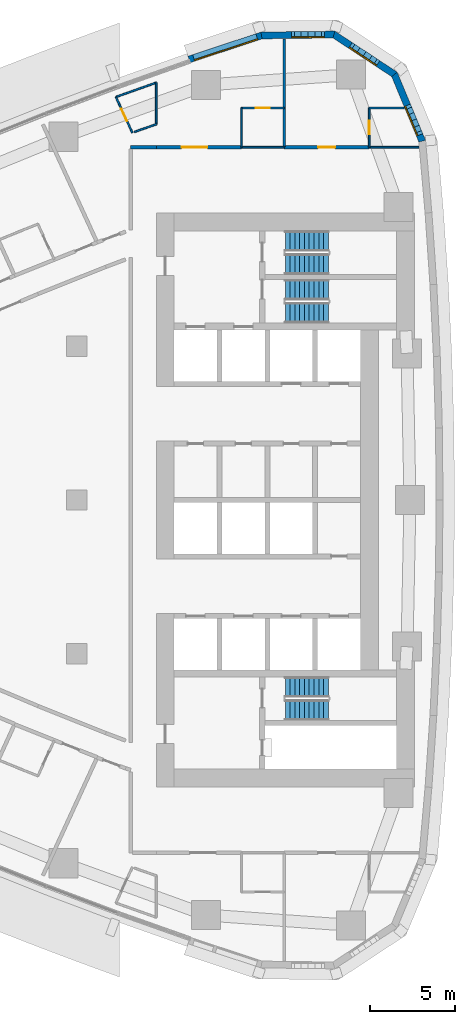
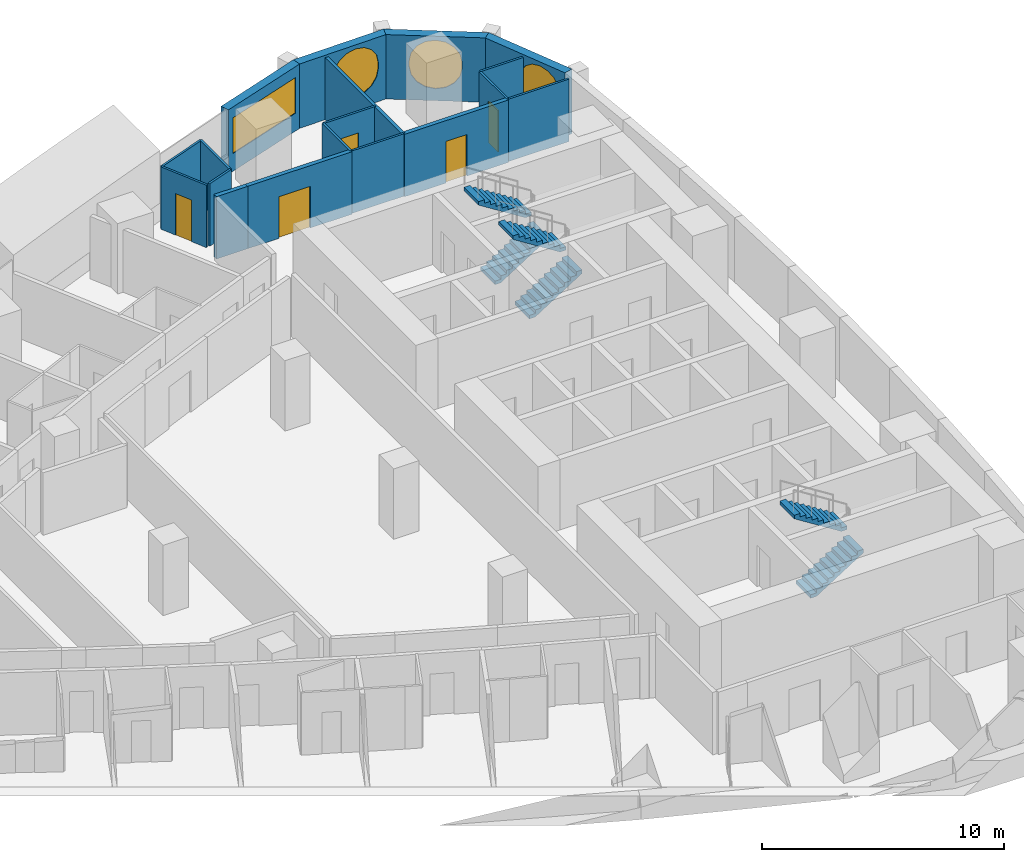
# One storey, part 13 of 17: 18 walls, 6 stair flights, 5 doors, 4 windows, 9 openings, 3 elements without a shape of their own.
"""IFC4 building model written with IfcOpenShell, lengths in metres."""

from ifc_helpers import new_model, si_unit, direction, frame, frame_2d, origin, place, context, subcontext, project, spatial, polyline, rectangle, outline, extrude, material, layer, layer_set, type_object, element, fill, aggregate, save


model = new_model("IFC4")

# Units and contexts
model_context = context("Model", 3, precision=1e-05, world=origin(), true_north=direction((0.0, 1.0)))
body_context = subcontext(model_context, "Body", "Model", "MODEL_VIEW")
ifc_project = project(units=[si_unit("LENGTHUNIT", "METRE"), si_unit("AREAUNIT", "SQUARE_METRE"), si_unit("VOLUMEUNIT", "CUBIC_METRE"), si_unit("PLANEANGLEUNIT", "RADIAN"), si_unit("MASSUNIT", "GRAM", prefix="KILO")], contexts=[model_context])

# Site, building, storey
site_placement = place(None, origin())
site = spatial("IfcSite", under=ifc_project, at=site_placement, CompositionType="ELEMENT")
building_placement = place(site_placement, origin())
building = spatial("IfcBuilding", under=site, at=building_placement, Name="Ostrand Prow Hotel Tower", CompositionType="ELEMENT")
storey_placement = place(building_placement, frame((0.0, 0.0, 116.85009765625)))
storey = spatial("IfcBuildingStorey", under=building, at=storey_placement, Name="L28", CompositionType="ELEMENT", Elevation=116.85009765625)

# Wall
ifc_material_1 = material(Name="Plasterboard partition")
ifc_layer_1 = layer(ifc_material_1, 0.10009765625)
ifc_layer_set_1 = layer_set([ifc_layer_1], Name="Plasterboard partition")
wall_type_1 = type_object("IfcWallType", Name="Partition 100 bathroom wall", PredefinedType="PARTITIONING", material=ifc_layer_set_1)
wall_1_placement = place(storey_placement, frame((54.630615234375, 20.64990234375, 0.0), z_axis=(0.0, 0.0, 1.0), x_axis=(0.0, 1.0, 0.0)))
element("IfcWall", 1, at=wall_1_placement, inside=storey, type_object=wall_type_1, Name="BATHROOM WALL", PredefinedType="PARTITIONING", context=body_context, shape_type="SweptSolid", body=[
    extrude(rectangle(XDim=2.300048828125, YDim=0.10009765625, at=frame_2d((1.14990234375, 0.0))), origin(), (0.0, 0.0, 1.0), 3.14990234375),
])

# Wall, opening, door
wall_2_placement = place(storey_placement, frame((54.630615234375, 22.949951171875, 0.0), z_axis=(0.0, 0.0, 1.0), x_axis=(1.0, 0.0, 0.0)))
wall_2 = element("IfcWall", 2, at=wall_2_placement, inside=storey, type_object=wall_type_1, Name="BATHROOM WALL", PredefinedType="PARTITIONING", context=body_context, shape_type="SweptSolid", body=[
    extrude(rectangle(XDim=2.5, YDim=0.10009765625, at=frame_2d((1.25, 0.0))), origin(), (0.0, 0.0, 1.0), 3.14990234375),
])
opening_1_placement = place(wall_2_placement, frame((0.85009765625, 0.0, 0.0)))
opening_1 = element("IfcOpeningElement", 3, at=opening_1_placement, cuts=wall_2, Name="Opening D2", PredefinedType="OPENING", context=body_context, shape_type="SweptSolid", body=[
    extrude(rectangle(XDim=0.800048828125, YDim=2.10009765625, at=frame_2d((0.39990234375, 1.050048828125))), frame((0.0, 0.06005859375, 0.0), z_axis=(0.0, -1.0, 0.0), x_axis=(1.0, 0.0, 0.0)), (0.0, 0.0, 1.0), 0.1201171875),
])
ifc_material_2 = material(Name="Timber door leaf", Category="wood")
door_type_1 = type_object("IfcDoorType", Name="Bathroom door 800", OperationType="SINGLE_SWING_LEFT", PredefinedType="DOOR", material=ifc_material_2)
door_1_placement = place(opening_1_placement, origin())
door_1 = element("IfcDoor", 4, at=door_1_placement, inside=storey, type_object=door_type_1, Name="DOOR", OperationType="SINGLE_SWING_LEFT", OverallHeight=2.10009765625, OverallWidth=0.800048828125, PredefinedType="DOOR", context=body_context, shape_type="SweptSolid", body=[
    extrude(rectangle(XDim=0.800048828125, YDim=2.10009765625, at=frame_2d((0.39990234375, 1.050048828125))), frame((0.0, 0.02490234375, 0.0), z_axis=(0.0, -1.0, 0.0), x_axis=(1.0, 0.0, 0.0)), (0.0, 0.0, 1.0), 0.050048828125),
])
fill(opening_1, door_1)

wall_3_placement = place(storey_placement, frame((62.111083984375, 20.64990234375, 0.0), z_axis=(0.0, 0.0, 1.0), x_axis=(0.0, 1.0, 0.0)))
wall_3 = element("IfcWall", 5, at=wall_3_placement, inside=storey, type_object=wall_type_1, Name="BATHROOM WALL", PredefinedType="PARTITIONING", context=body_context, shape_type="SweptSolid", body=[
    extrude(rectangle(XDim=2.300048828125, YDim=0.10009765625, at=frame_2d((1.14990234375, 0.0))), origin(), (0.0, 0.0, 1.0), 3.14990234375),
])
opening_2_placement = place(wall_3_placement, frame((0.75, 0.0, 0.0)))
opening_2 = element("IfcOpeningElement", 6, at=opening_2_placement, cuts=wall_3, Name="Opening D2", PredefinedType="OPENING", context=body_context, shape_type="SweptSolid", body=[
    extrude(rectangle(XDim=0.800048828125, YDim=2.10009765625, at=frame_2d((0.39990234375, 1.050048828125))), frame((0.0, 0.06005859375, 0.0), z_axis=(0.0, -1.0, 0.0), x_axis=(1.0, 0.0, 0.0)), (0.0, 0.0, 1.0), 0.1201171875),
])
door_2_placement = place(opening_2_placement, origin())
door_2 = element("IfcDoor", 7, at=door_2_placement, inside=storey, type_object=door_type_1, Name="DOOR", OperationType="SINGLE_SWING_LEFT", OverallHeight=2.10009765625, OverallWidth=0.800048828125, PredefinedType="DOOR", context=body_context, shape_type="SweptSolid", body=[
    extrude(rectangle(XDim=0.800048828125, YDim=2.10009765625, at=frame_2d((0.39990234375, 1.050048828125))), frame((0.0, 0.02490234375, 0.0), z_axis=(0.0, -1.0, 0.0), x_axis=(1.0, 0.0, 0.0)), (0.0, 0.0, 1.0), 0.050048828125),
])
fill(opening_2, door_2)

# Wall
wall_4_placement = place(storey_placement, frame((62.111083984375, 22.949951171875, 0.0), z_axis=(0.0, 0.0, 1.0), x_axis=(1.0, 0.0, 0.0)))
element("IfcWall", 8, at=wall_4_placement, inside=storey, type_object=wall_type_1, Name="BATHROOM WALL", PredefinedType="PARTITIONING", context=body_context, shape_type="SweptSolid", body=[
    extrude(rectangle(XDim=2.04931640625, YDim=0.10009765625, at=frame_2d((1.024658203125, 0.0))), origin(), (0.0, 0.0, 1.0), 3.14990234375),
])

# Wall, opening, door
wall_5_placement = place(storey_placement, frame((48.24853515625, 21.4970703125, 0.0), z_axis=(0.0, 0.0, 1.0), x_axis=(-0.41749308293, 0.908680100864, 0.0)))
wall_5 = element("IfcWall", 9, at=wall_5_placement, inside=storey, type_object=wall_type_1, Name="BATHROOM WALL", PredefinedType="PARTITIONING", context=body_context, shape_type="SweptSolid", body=[
    extrude(rectangle(XDim=2.3056640625, YDim=0.10009765625, at=frame_2d((1.15283203125, 0.0))), origin(), (0.0, 0.0, 1.0), 3.14990234375),
])
opening_3_placement = place(wall_5_placement, frame((0.75, 0.0, 0.0)))
opening_3 = element("IfcOpeningElement", 10, at=opening_3_placement, cuts=wall_5, Name="Opening D2", PredefinedType="OPENING", context=body_context, shape_type="SweptSolid", body=[
    extrude(rectangle(XDim=0.800048828125, YDim=2.10009765625, at=frame_2d((0.39990234375, 1.050048828125))), frame((0.0, 0.06005859375, 0.0), z_axis=(0.0, -1.0, 0.0), x_axis=(1.0, 0.0, 0.0)), (0.0, 0.0, 1.0), 0.1201171875),
])
door_3_placement = place(opening_3_placement, origin())
door_3 = element("IfcDoor", 11, at=door_3_placement, inside=storey, type_object=door_type_1, Name="DOOR", OperationType="SINGLE_SWING_LEFT", OverallHeight=2.10009765625, OverallWidth=0.800048828125, PredefinedType="DOOR", context=body_context, shape_type="SweptSolid", body=[
    extrude(rectangle(XDim=0.800048828125, YDim=2.10009765625, at=frame_2d((0.39990234375, 1.050048828125))), frame((0.0, 0.02490234375, 0.0), z_axis=(0.0, -1.0, 0.0), x_axis=(1.0, 0.0, 0.0)), (0.0, 0.0, 1.0), 0.050048828125),
])
fill(opening_3, door_3)

# Walls
wall_6_placement = place(storey_placement, frame((49.64990234375, 21.99560546875, 0.0), z_axis=(0.0, 0.0, 1.0), x_axis=(-0.942692856107, -0.333661773425, 0.0)))
element("IfcWall", 12, at=wall_6_placement, inside=storey, type_object=wall_type_1, Name="BATHROOM WALL", PredefinedType="PARTITIONING", context=body_context, shape_type="SweptSolid", body=[
    extrude(rectangle(XDim=1.365234375, YDim=0.10009765625, at=frame_2d((0.6826171875, 0.0))), origin(), (0.0, 0.0, 1.0), 3.14990234375),
])
wall_7_placement = place(storey_placement, frame((57.130615234375, 20.655029296875, 0.0), z_axis=(0.0, 0.0, 1.0), x_axis=(-1.0, 0.0, 0.0)))
element("IfcWall", 13, at=wall_7_placement, inside=storey, type_object=wall_type_1, Name="BATHROOM WALL", PredefinedType="PARTITIONING", context=body_context, shape_type="SweptSolid", body=[
    extrude(rectangle(XDim=2.5, YDim=0.10009765625, at=frame_2d((1.25, 0.0))), origin(), (0.0, 0.0, 1.0), 3.14990234375),
])
wall_8_placement = place(storey_placement, frame((65.016845703125, 20.655029296875, 0.0), z_axis=(0.0, 0.0, 1.0), x_axis=(-1.0, 0.0, 0.0)))
element("IfcWall", 14, at=wall_8_placement, inside=storey, type_object=wall_type_1, Name="BATHROOM WALL", PredefinedType="PARTITIONING", context=body_context, shape_type="SweptSolid", body=[
    extrude(rectangle(XDim=2.90576171875, YDim=0.10009765625, at=frame_2d((1.452880859375, 0.0))), origin(), (0.0, 0.0, 1.0), 3.14990234375),
])
wall_9_placement = place(storey_placement, frame((47.285888671875, 23.59228515625, 0.0), z_axis=(0.0, 0.0, 1.0), x_axis=(0.941933231826, 0.335800218555, 0.0)))
element("IfcWall", 15, at=wall_9_placement, inside=storey, type_object=wall_type_1, Name="BATHROOM WALL", PredefinedType="PARTITIONING", context=body_context, shape_type="SweptSolid", body=[
    extrude(rectangle(XDim=2.509765625, YDim=0.10009765625, at=frame_2d((1.2548828125, 0.0))), origin(), (0.0, 0.0, 1.0), 3.14990234375),
])
wall_10_placement = place(storey_placement, frame((49.64990234375, 24.43505859375, 0.0), z_axis=(0.0, 0.0, 1.0), x_axis=(0.0, -1.0, 0.0)))
element("IfcWall", 16, at=wall_10_placement, inside=storey, type_object=wall_type_1, Name="BATHROOM WALL", PredefinedType="PARTITIONING", context=body_context, shape_type="SweptSolid", body=[
    extrude(rectangle(XDim=2.439453125, YDim=0.10009765625, at=frame_2d((1.2197265625, 0.0))), origin(), (0.0, 0.0, 1.0), 3.14990234375),
])
ifc_material_3 = material(Name="Plasterboard partition")
ifc_layer_2 = layer(ifc_material_3, 0.14990234375)
ifc_layer_set_2 = layer_set([ifc_layer_2], Name="Plasterboard partition")
wall_type_2 = type_object("IfcWallType", Name="Partition 150 room partition", PredefinedType="PARTITIONING", material=ifc_layer_set_2)
wall_11_placement = place(storey_placement, frame((57.130615234375, 20.64990234375, 0.0), z_axis=(0.0, 0.0, 1.0), x_axis=(0.0, 1.0, 0.0)))
element("IfcWall", 17, at=wall_11_placement, inside=storey, type_object=wall_type_2, Name="ROOM PARTITION", PredefinedType="PARTITIONING", context=body_context, shape_type="SweptSolid", body=[
    extrude(rectangle(XDim=6.3291015625, YDim=0.14990234375, at=frame_2d((3.16455078125, 0.0))), origin(), (0.0, 0.0, 1.0), 3.14990234375),
])

# Wall, opening, door
ifc_material_4 = material(Name="Plasterboard partition")
ifc_layer_3 = layer(ifc_material_4, 0.199951171875)
ifc_layer_set_3 = layer_set([ifc_layer_3], Name="Plasterboard partition")
wall_type_3 = type_object("IfcWallType", Name="Partition 200 corridor wall", PredefinedType="PARTITIONING", material=ifc_layer_set_3)
wall_12_placement = place(storey_placement, frame((54.62548828125, 20.655029296875, 0.0), z_axis=(0.0, 0.0, 1.0), x_axis=(-1.0, 0.0, 0.0)))
wall_12 = element("IfcWall", 18, at=wall_12_placement, inside=storey, type_object=wall_type_3, Name="CORRIDOR WALL", PredefinedType="PARTITIONING", context=body_context, shape_type="SweptSolid", body=[
    extrude(rectangle(XDim=4.9755859375, YDim=0.199951171875, at=frame_2d((2.48779296875, 0.0))), origin(), (0.0, 0.0, 1.0), 3.14990234375),
])
opening_4_placement = place(wall_12_placement, frame((1.98779296875, 0.0, 0.0)))
opening_4 = element("IfcOpeningElement", 19, at=opening_4_placement, cuts=wall_12, Name="Opening D15", PredefinedType="OPENING", context=body_context, shape_type="SweptSolid", body=[
    extrude(rectangle(XDim=1.5, YDim=2.10009765625, at=frame_2d((0.75, 1.050048828125))), frame((0.0, 0.10986328125, 0.0), z_axis=(0.0, -1.0, 0.0), x_axis=(1.0, 0.0, 0.0)), (0.0, 0.0, 1.0), 0.219970703125),
])
ifc_material_5 = material(Name="Timber door leaf", Category="wood")
door_type_2 = type_object("IfcDoorType", Name="Double door 1500", OperationType="DOUBLE_DOOR_SINGLE_SWING", PredefinedType="DOOR", material=ifc_material_5)
door_4_placement = place(opening_4_placement, origin())
door_4 = element("IfcDoor", 20, at=door_4_placement, inside=storey, type_object=door_type_2, Name="DOOR", OperationType="DOUBLE_DOOR_SINGLE_SWING", OverallHeight=2.10009765625, OverallWidth=1.5, PredefinedType="DOOR", context=body_context, shape_type="SweptSolid", body=[
    extrude(rectangle(XDim=1.5, YDim=2.10009765625, at=frame_2d((0.75, 1.050048828125))), frame((0.0, 0.02490234375, 0.0), z_axis=(0.0, -1.0, 0.0), x_axis=(1.0, 0.0, 0.0)), (0.0, 0.0, 1.0), 0.050048828125),
])
fill(opening_4, door_4)

wall_13_placement = place(storey_placement, frame((62.106201171875, 20.655029296875, 0.0), z_axis=(0.0, 0.0, 1.0), x_axis=(-1.0, 0.0, 0.0)))
wall_13 = element("IfcWall", 21, at=wall_13_placement, inside=storey, type_object=wall_type_3, Name="CORRIDOR WALL", PredefinedType="PARTITIONING", context=body_context, shape_type="SweptSolid", body=[
    extrude(rectangle(XDim=4.970703125, YDim=0.199951171875, at=frame_2d((2.4853515625, 0.0))), origin(), (0.0, 0.0, 1.0), 3.14990234375),
])
opening_5_placement = place(wall_13_placement, frame((1.9853515625, 0.0, 0.0)))
opening_5 = element("IfcOpeningElement", 22, at=opening_5_placement, cuts=wall_13, Name="Opening D1", PredefinedType="OPENING", context=body_context, shape_type="SweptSolid", body=[
    extrude(rectangle(XDim=1.0, YDim=2.10009765625, at=frame_2d((0.5, 1.050048828125))), frame((0.0, 0.10986328125, 0.0), z_axis=(0.0, -1.0, 0.0), x_axis=(1.0, 0.0, 0.0)), (0.0, 0.0, 1.0), 0.219970703125),
])
ifc_material_6 = material(Name="Timber door leaf", Category="wood")
door_type_3 = type_object("IfcDoorType", Name="Guest room door 1000", OperationType="SINGLE_SWING_LEFT", PredefinedType="DOOR", material=ifc_material_6)
door_5_placement = place(opening_5_placement, origin())
door_5 = element("IfcDoor", 23, at=door_5_placement, inside=storey, type_object=door_type_3, Name="DOOR", OperationType="SINGLE_SWING_LEFT", OverallHeight=2.10009765625, OverallWidth=1.0, PredefinedType="DOOR", context=body_context, shape_type="SweptSolid", body=[
    extrude(rectangle(XDim=1.0, YDim=2.10009765625, at=frame_2d((0.5, 1.050048828125))), frame((0.0, 0.02490234375, 0.0), z_axis=(0.0, -1.0, 0.0), x_axis=(1.0, 0.0, 0.0)), (0.0, 0.0, 1.0), 0.050048828125),
])
fill(opening_5, door_5)

# Wall
wall_14_placement = place(storey_placement, frame((49.64990234375, 20.655029296875, 0.0), z_axis=(0.0, 0.0, 1.0), x_axis=(-0.999998933031, -0.001460800259, 0.0)))
element("IfcWall", 24, at=wall_14_placement, inside=storey, type_object=wall_type_3, Name="CORRIDOR WALL", PredefinedType="PARTITIONING", context=body_context, shape_type="SweptSolid", body=[
    extrude(rectangle(XDim=1.504150390625, YDim=0.199951171875, at=frame_2d((0.751953125, 0.0))), origin(), (0.0, 0.0, 1.0), 3.14990234375),
])

# Wall, opening, window
ifc_material_7 = material(Name="Precast concrete C40/50", Category="concrete")
ifc_layer_4 = layer(ifc_material_7, 0.39990234375)
ifc_layer_set_4 = layer_set([ifc_layer_4], Name="Precast concrete C40/50")
wall_type_4 = type_object("IfcWallType", Name="Stone-faced precast wall 400 mm", PredefinedType="NOTDEFINED", material=ifc_layer_set_4)
wall_15_placement = place(storey_placement, frame((65.21728515625, 21.001708984375, 0.0), z_axis=(0.0, 0.0, 1.0), x_axis=(-0.383997751971, 0.923334027577, 0.0)))
wall_15 = element("IfcWall", 25, at=wall_15_placement, inside=storey, type_object=wall_type_4, Name="Stone-faced wall back 15", PredefinedType="NOTDEFINED", context=body_context, shape_type="SweptSolid", body=[
    extrude(outline(polyline([(-0.031005859375, -0.199951171875), (4.300048828125, -0.199951171875), (4.177490234375, 0.199951171875), (0.031005859375, 0.199951171875), (-0.031005859375, -0.199951171875)])), origin(), (0.0, 0.0, 1.0), 3.25),
])
opening_6_placement = place(wall_15_placement, frame((0.28662109375, 0.0, 0.60009765625)))
opening_6 = element("IfcOpeningElement", 26, at=opening_6_placement, cuts=wall_15, Name="Opening WP1-21", PredefinedType="OPENING", context=body_context, shape_type="SweptSolid", body=[
    extrude(outline(polyline([(0.0, 1.39990234375), (0.079833984375, 1.8017578125), (0.3076171875, 2.142333984375), (0.648193359375, 2.3701171875), (1.050048828125, 2.449951171875), (1.451904296875, 2.3701171875), (1.79248046875, 2.142333984375), (2.020263671875, 1.8017578125), (2.10009765625, 1.39990234375), (2.10009765625, 1.050048828125), (2.020263671875, 0.648193359375), (1.79248046875, 0.3076171875), (1.451904296875, 0.079833984375), (1.050048828125, 0.0), (0.648193359375, 0.079833984375), (0.3076171875, 0.3076171875), (0.079833984375, 0.648193359375), (0.0, 1.050048828125), (0.0, 1.39990234375)])), frame((0.0, 0.2099609375, 0.0), z_axis=(0.0, -1.0, 0.0), x_axis=(1.0, 0.0, 0.0)), (0.0, 0.0, 1.0), 0.419921875),
])
ifc_material_8 = material(Name="Insulated glass in bronze frame", Category="glass")
window_type_1 = type_object("IfcWindowType", Name="Round-ended prow window 2100x2450", PartitioningType="SINGLE_PANEL", PredefinedType="WINDOW", material=ifc_material_8)
window_1_placement = place(opening_6_placement, origin())
window_1 = element("IfcWindow", 27, at=window_1_placement, inside=storey, type_object=window_type_1, Name="Window back 15.1", OverallHeight=2.449951171875, OverallWidth=2.10009765625, PartitioningType="SINGLE_PANEL", PredefinedType="WINDOW", context=body_context, shape_type="SweptSolid", body=[
    extrude(outline(polyline([(0.0, 1.39990234375), (0.079833984375, 1.8017578125), (0.3076171875, 2.142333984375), (0.648193359375, 2.3701171875), (1.050048828125, 2.449951171875), (1.451904296875, 2.3701171875), (1.79248046875, 2.142333984375), (2.020263671875, 1.8017578125), (2.10009765625, 1.39990234375), (2.10009765625, 1.050048828125), (2.020263671875, 0.648193359375), (1.79248046875, 0.3076171875), (1.451904296875, 0.079833984375), (1.050048828125, 0.0), (0.648193359375, 0.079833984375), (0.3076171875, 0.3076171875), (0.079833984375, 0.648193359375), (0.0, 1.050048828125), (0.0, 1.39990234375)])), frame((0.0, 0.169921875, 0.0), z_axis=(0.0, -1.0, 0.0), x_axis=(1.0, 0.0, 0.0)), (0.0, 0.0, 1.0), 0.06005859375),
])
fill(opening_6, window_1)

wall_16_placement = place(storey_placement, frame((63.589599609375, 24.91552734375, 0.0), z_axis=(0.0, 0.0, 1.0), x_axis=(-0.835340523653, 0.549732852887, 0.0)))
wall_16 = element("IfcWall", 28, at=wall_16_placement, inside=storey, type_object=wall_type_4, Name="Stone-faced wall back 16", PredefinedType="NOTDEFINED", context=body_context, shape_type="SweptSolid", body=[
    extrude(outline(polyline([(-0.061279296875, -0.199951171875), (4.30029296875, -0.199951171875), (4.177734375, 0.199951171875), (0.061279296875, 0.199951171875), (-0.061279296875, -0.199951171875)])), origin(), (0.0, 0.0, 1.0), 3.25),
])
opening_7_placement = place(wall_16_placement, frame((1.01953125, 0.0, 0.60009765625)))
opening_7 = element("IfcOpeningElement", 29, at=opening_7_placement, cuts=wall_16, Name="Opening WP1", PredefinedType="OPENING", context=body_context, shape_type="SweptSolid", body=[
    extrude(outline(polyline([(0.0, 1.35009765625), (0.083740234375, 1.77099609375), (0.322265625, 2.127685546875), (0.678955078125, 2.3662109375), (1.10009765625, 2.449951171875), (1.52099609375, 2.3662109375), (1.877685546875, 2.127685546875), (2.1162109375, 1.77099609375), (2.199951171875, 1.35009765625), (2.199951171875, 1.10009765625), (2.1162109375, 0.678955078125), (1.877685546875, 0.322265625), (1.52099609375, 0.083740234375), (1.10009765625, 0.0), (0.678955078125, 0.083740234375), (0.322265625, 0.322265625), (0.083740234375, 0.678955078125), (0.0, 1.099853515625), (0.0, 1.35009765625)])), frame((0.0, 0.2099609375, 0.0), z_axis=(0.0, -1.0, 0.0), x_axis=(1.0, 0.0, 0.0)), (0.0, 0.0, 1.0), 0.419921875),
])
ifc_material_9 = material(Name="Insulated glass in bronze frame", Category="glass")
window_type_2 = type_object("IfcWindowType", Name="Round-ended prow window 2200x2450", PartitioningType="SINGLE_PANEL", PredefinedType="WINDOW", material=ifc_material_9)
window_2_placement = place(opening_7_placement, origin())
window_2 = element("IfcWindow", 30, at=window_2_placement, inside=storey, type_object=window_type_2, Name="Window back 16.1", OverallHeight=2.449951171875, OverallWidth=2.199951171875, PartitioningType="SINGLE_PANEL", PredefinedType="WINDOW", context=body_context, shape_type="SweptSolid", body=[
    extrude(outline(polyline([(0.0, 1.35009765625), (0.083740234375, 1.77099609375), (0.322265625, 2.127685546875), (0.678955078125, 2.3662109375), (1.10009765625, 2.449951171875), (1.52099609375, 2.3662109375), (1.877685546875, 2.127685546875), (2.1162109375, 1.77099609375), (2.199951171875, 1.35009765625), (2.199951171875, 1.10009765625), (2.1162109375, 0.678955078125), (1.877685546875, 0.322265625), (1.52099609375, 0.083740234375), (1.10009765625, 0.0), (0.678955078125, 0.083740234375), (0.322265625, 0.322265625), (0.083740234375, 0.678955078125), (0.0, 1.099853515625), (0.0, 1.35009765625)])), frame((0.0, 0.169921875, 0.0), z_axis=(0.0, -1.0, 0.0), x_axis=(1.0, 0.0, 0.0)), (0.0, 0.0, 1.0), 0.06005859375),
])
fill(opening_7, window_2)

wall_17_placement = place(storey_placement, frame((60.048583984375, 27.245849609375, 0.0), z_axis=(0.0, 0.0, 1.0), x_axis=(-0.999919718849, -0.012671063772, 0.0)))
wall_17 = element("IfcWall", 31, at=wall_17_placement, inside=storey, type_object=wall_type_4, Name="Stone-faced wall back 17", PredefinedType="NOTDEFINED", context=body_context, shape_type="SweptSolid", body=[
    extrude(outline(polyline([(-0.061279296875, -0.199951171875), (4.269775390625, -0.199951171875), (4.207763671875, 0.199951171875), (0.061279296875, 0.199951171875), (-0.061279296875, -0.199951171875)])), origin(), (0.0, 0.0, 1.0), 3.25),
])
opening_8_placement = place(wall_17_placement, frame((0.418212890625, 0.0, 0.60009765625)))
opening_8 = element("IfcOpeningElement", 32, at=opening_8_placement, cuts=wall_17, Name="Opening WP1", PredefinedType="OPENING", context=body_context, shape_type="SweptSolid", body=[
    extrude(outline(polyline([(0.0, 1.35009765625), (0.083740234375, 1.77099609375), (0.322265625, 2.127685546875), (0.678955078125, 2.3662109375), (1.10009765625, 2.449951171875), (1.52099609375, 2.3662109375), (1.877685546875, 2.127685546875), (2.1162109375, 1.77099609375), (2.199951171875, 1.35009765625), (2.199951171875, 1.10009765625), (2.1162109375, 0.678955078125), (1.877685546875, 0.322265625), (1.52099609375, 0.083740234375), (1.10009765625, 0.0), (0.678955078125, 0.083740234375), (0.322265625, 0.322265625), (0.083740234375, 0.678955078125), (0.0, 1.099853515625), (0.0, 1.35009765625)])), frame((0.0, 0.2099609375, 0.0), z_axis=(0.0, -1.0, 0.0), x_axis=(1.0, 0.0, 0.0)), (0.0, 0.0, 1.0), 0.419921875),
])
window_3_placement = place(opening_8_placement, origin())
window_3 = element("IfcWindow", 33, at=window_3_placement, inside=storey, type_object=window_type_2, Name="Window back 17.1", OverallHeight=2.449951171875, OverallWidth=2.199951171875, PartitioningType="SINGLE_PANEL", PredefinedType="WINDOW", context=body_context, shape_type="SweptSolid", body=[
    extrude(outline(polyline([(0.0, 1.35009765625), (0.083740234375, 1.77099609375), (0.322265625, 2.127685546875), (0.678955078125, 2.3662109375), (1.10009765625, 2.449951171875), (1.52099609375, 2.3662109375), (1.877685546875, 2.127685546875), (2.1162109375, 1.77099609375), (2.199951171875, 1.35009765625), (2.199951171875, 1.10009765625), (2.1162109375, 0.678955078125), (1.877685546875, 0.322265625), (1.52099609375, 0.083740234375), (1.10009765625, 0.0), (0.678955078125, 0.083740234375), (0.322265625, 0.322265625), (0.083740234375, 0.678955078125), (0.0, 1.099853515625), (0.0, 1.35009765625)])), frame((0.0, 0.169921875, 0.0), z_axis=(0.0, -1.0, 0.0), x_axis=(1.0, 0.0, 0.0)), (0.0, 0.0, 1.0), 0.06005859375),
])
fill(opening_8, window_3)

wall_18_placement = place(storey_placement, frame((55.81005859375, 27.192138671875, 0.0), z_axis=(0.0, 0.0, 1.0), x_axis=(-0.94925004851, -0.314522408429, 0.0)))
wall_18 = element("IfcWall", 34, at=wall_18_placement, inside=storey, type_object=wall_type_4, Name="Stone-faced wall back 18", PredefinedType="NOTDEFINED", context=body_context, shape_type="SweptSolid", body=[
    extrude(outline(polyline([(-0.031005859375, -0.199951171875), (4.468017578125, -0.199951171875), (4.468017578125, 0.199951171875), (0.031005859375, 0.199951171875), (-0.031005859375, -0.199951171875)])), origin(), (0.0, 0.0, 1.0), 3.25),
])
opening_9_placement = place(wall_18_placement, frame((0.283935546875, 0.0, 0.89990234375)))
opening_9 = element("IfcOpeningElement", 35, at=opening_9_placement, cuts=wall_18, Name="Opening WS3-39", PredefinedType="OPENING", context=body_context, shape_type="SweptSolid", body=[
    extrude(rectangle(XDim=3.89990234375, YDim=1.800048828125, at=frame_2d((1.949951171875, 0.89990234375))), frame((0.0, 0.2099609375, 0.0), z_axis=(0.0, -1.0, 0.0), x_axis=(1.0, 0.0, 0.0)), (0.0, 0.0, 1.0), 0.419921875),
])
ifc_material_10 = material(Name="Insulated glass in bronze frame", Category="glass")
window_type_3 = type_object("IfcWindowType", Name="Strip window 3900x1800", PartitioningType="SINGLE_PANEL", PredefinedType="WINDOW", material=ifc_material_10)
window_4_placement = place(opening_9_placement, origin())
window_4 = element("IfcWindow", 36, at=window_4_placement, inside=storey, type_object=window_type_3, Name="Window back 18.1", OverallHeight=1.800048828125, OverallWidth=3.89990234375, PartitioningType="SINGLE_PANEL", PredefinedType="WINDOW", context=body_context, shape_type="SweptSolid", body=[
    extrude(rectangle(XDim=3.89990234375, YDim=1.800048828125, at=frame_2d((1.949951171875, 0.89990234375))), frame((0.0, 0.169921875, 0.0), z_axis=(0.0, -1.0, 0.0), x_axis=(1.0, 0.0, 0.0)), (0.0, 0.0, 1.0), 0.06005859375),
])
fill(opening_9, window_4)

# Stair, stair flights
ifc_material_11 = material(Name="Concrete C40/50", Category="concrete")
stair_type = type_object("IfcStairType", Name="Exit stair 1200 upper zone", PredefinedType="HALF_TURN_STAIR", material=ifc_material_11)
stair_1_placement = place(storey_placement, origin())
stair_1 = element("IfcStair", 37, at=stair_1_placement, inside=storey, type_object=stair_type, Name="L28 ST1C", PredefinedType="HALF_TURN_STAIR")
ifc_material_12 = material(Name="Concrete C40/50", Category="concrete")
stair_flight_type = type_object("IfcStairFlightType", Name="Stair flight 1200 concrete", PredefinedType="STRAIGHT", material=ifc_material_12)
stair_flight_1_placement = place(storey_placement, frame((57.199951171875, 10.949951171875, 0.0), z_axis=(0.0, 0.0, 1.0), x_axis=(1.0, 0.0, 0.0)))
stair_flight_1 = element("IfcStairFlight", 38, at=stair_flight_1_placement, type_object=stair_flight_type, Name="ST1C flight 1", NumberOfRisers=10, NumberOfTreads=9, PredefinedType="STRAIGHT", RiserHeight=0.1775, TreadLength=0.28, context=body_context, shape_type="SweptSolid", body=[
    extrude(outline(polyline([(0.0, 0.0), (0.0, 0.177490234375), (0.280029296875, 0.177490234375), (0.280029296875, 0.35498046875), (0.56005859375, 0.35498046875), (0.56005859375, 0.532470703125), (0.840087890625, 0.532470703125), (0.840087890625, 0.7099609375), (1.1201171875, 0.7099609375), (1.1201171875, 0.887451171875), (1.39990234375, 0.887451171875), (1.39990234375, 1.06494140625), (1.679931640625, 1.06494140625), (1.679931640625, 1.242431640625), (1.9599609375, 1.242431640625), (1.9599609375, 1.419921875), (2.239990234375, 1.419921875), (2.239990234375, 1.597412109375), (2.52001953125, 1.597412109375), (2.52001953125, 1.77490234375), (2.52001953125, 1.419921875), (0.280029296875, 0.0), (0.0, 0.0)])), frame((0.0, 0.60009765625, 0.0), z_axis=(0.0, -1.0, 0.0), x_axis=(1.0, 0.0, 0.0)), (0.0, 0.0, 1.0), 1.199951171875),
])
stair_flight_2_placement = place(storey_placement, frame((59.719970703125, 12.300048828125, 1.77490234375), z_axis=(0.0, 0.0, 1.0), x_axis=(-1.0, 0.0, 0.0)))
stair_flight_2 = element("IfcStairFlight", 39, at=stair_flight_2_placement, type_object=stair_flight_type, Name="ST1C flight 2", NumberOfRisers=10, NumberOfTreads=9, PredefinedType="STRAIGHT", RiserHeight=0.1775, TreadLength=0.28, context=body_context, shape_type="SweptSolid", body=[
    extrude(outline(polyline([(0.0, 0.0), (0.0, 0.177490234375), (0.280029296875, 0.177490234375), (0.280029296875, 0.35498046875), (0.56005859375, 0.35498046875), (0.56005859375, 0.532470703125), (0.840087890625, 0.532470703125), (0.840087890625, 0.7099609375), (1.1201171875, 0.7099609375), (1.1201171875, 0.887451171875), (1.39990234375, 0.887451171875), (1.39990234375, 1.06494140625), (1.679931640625, 1.06494140625), (1.679931640625, 1.242431640625), (1.9599609375, 1.242431640625), (1.9599609375, 1.419921875), (2.239990234375, 1.419921875), (2.239990234375, 1.597412109375), (2.52001953125, 1.597412109375), (2.52001953125, 1.77490234375), (2.52001953125, 1.419921875), (0.280029296875, 0.0), (0.0, 0.0)])), frame((0.0, 0.60009765625, 0.0), z_axis=(0.0, -1.0, 0.0), x_axis=(1.0, 0.0, 0.0)), (0.0, 0.0, 1.0), 1.199951171875),
])
aggregate(stair_1, [stair_flight_1, stair_flight_2])

stair_2_placement = place(storey_placement, origin())
stair_2 = element("IfcStair", 40, at=stair_2_placement, inside=storey, type_object=stair_type, Name="L28 ST3C", PredefinedType="HALF_TURN_STAIR")
stair_flight_3_placement = place(storey_placement, frame((57.199951171875, 13.800048828125, 0.0), z_axis=(0.0, 0.0, 1.0), x_axis=(1.0, 0.0, 0.0)))
stair_flight_3 = element("IfcStairFlight", 41, at=stair_flight_3_placement, type_object=stair_flight_type, Name="ST3C flight 1", NumberOfRisers=10, NumberOfTreads=9, PredefinedType="STRAIGHT", RiserHeight=0.1775, TreadLength=0.28, context=body_context, shape_type="SweptSolid", body=[
    extrude(outline(polyline([(0.0, 0.0), (0.0, 0.177490234375), (0.280029296875, 0.177490234375), (0.280029296875, 0.35498046875), (0.56005859375, 0.35498046875), (0.56005859375, 0.532470703125), (0.840087890625, 0.532470703125), (0.840087890625, 0.7099609375), (1.1201171875, 0.7099609375), (1.1201171875, 0.887451171875), (1.39990234375, 0.887451171875), (1.39990234375, 1.06494140625), (1.679931640625, 1.06494140625), (1.679931640625, 1.242431640625), (1.9599609375, 1.242431640625), (1.9599609375, 1.419921875), (2.239990234375, 1.419921875), (2.239990234375, 1.597412109375), (2.52001953125, 1.597412109375), (2.52001953125, 1.77490234375), (2.52001953125, 1.419921875), (0.280029296875, 0.0), (0.0, 0.0)])), frame((0.0, 0.60009765625, 0.0), z_axis=(0.0, -1.0, 0.0), x_axis=(1.0, 0.0, 0.0)), (0.0, 0.0, 1.0), 1.199951171875),
])
stair_flight_4_placement = place(storey_placement, frame((59.719970703125, 15.14990234375, 1.77490234375), z_axis=(0.0, 0.0, 1.0), x_axis=(-1.0, 0.0, 0.0)))
stair_flight_4 = element("IfcStairFlight", 42, at=stair_flight_4_placement, type_object=stair_flight_type, Name="ST3C flight 2", NumberOfRisers=10, NumberOfTreads=9, PredefinedType="STRAIGHT", RiserHeight=0.1775, TreadLength=0.28, context=body_context, shape_type="SweptSolid", body=[
    extrude(outline(polyline([(0.0, 0.0), (0.0, 0.177490234375), (0.280029296875, 0.177490234375), (0.280029296875, 0.35498046875), (0.56005859375, 0.35498046875), (0.56005859375, 0.532470703125), (0.840087890625, 0.532470703125), (0.840087890625, 0.7099609375), (1.1201171875, 0.7099609375), (1.1201171875, 0.887451171875), (1.39990234375, 0.887451171875), (1.39990234375, 1.06494140625), (1.679931640625, 1.06494140625), (1.679931640625, 1.242431640625), (1.9599609375, 1.242431640625), (1.9599609375, 1.419921875), (2.239990234375, 1.419921875), (2.239990234375, 1.597412109375), (2.52001953125, 1.597412109375), (2.52001953125, 1.77490234375), (2.52001953125, 1.419921875), (0.280029296875, 0.0), (0.0, 0.0)])), frame((0.0, 0.60009765625, 0.0), z_axis=(0.0, -1.0, 0.0), x_axis=(1.0, 0.0, 0.0)), (0.0, 0.0, 1.0), 1.199951171875),
])
aggregate(stair_2, [stair_flight_3, stair_flight_4])

stair_3_placement = place(storey_placement, origin())
stair_3 = element("IfcStair", 43, at=stair_3_placement, inside=storey, type_object=stair_type, Name="L28 ST2C", PredefinedType="HALF_TURN_STAIR")
stair_flight_5_placement = place(storey_placement, frame((57.199951171875, -12.300048828125, 0.0), z_axis=(0.0, 0.0, 1.0), x_axis=(1.0, 0.0, 0.0)))
stair_flight_5 = element("IfcStairFlight", 44, at=stair_flight_5_placement, type_object=stair_flight_type, Name="ST2C flight 1", NumberOfRisers=10, NumberOfTreads=9, PredefinedType="STRAIGHT", RiserHeight=0.1775, TreadLength=0.28, context=body_context, shape_type="SweptSolid", body=[
    extrude(outline(polyline([(0.0, 0.0), (0.0, 0.177490234375), (0.280029296875, 0.177490234375), (0.280029296875, 0.35498046875), (0.56005859375, 0.35498046875), (0.56005859375, 0.532470703125), (0.840087890625, 0.532470703125), (0.840087890625, 0.7099609375), (1.1201171875, 0.7099609375), (1.1201171875, 0.887451171875), (1.39990234375, 0.887451171875), (1.39990234375, 1.06494140625), (1.679931640625, 1.06494140625), (1.679931640625, 1.242431640625), (1.9599609375, 1.242431640625), (1.9599609375, 1.419921875), (2.239990234375, 1.419921875), (2.239990234375, 1.597412109375), (2.52001953125, 1.597412109375), (2.52001953125, 1.77490234375), (2.52001953125, 1.419921875), (0.280029296875, 0.0), (0.0, 0.0)])), frame((0.0, 0.60009765625, 0.0), z_axis=(0.0, -1.0, 0.0), x_axis=(1.0, 0.0, 0.0)), (0.0, 0.0, 1.0), 1.199951171875),
])
stair_flight_6_placement = place(storey_placement, frame((59.719970703125, -10.949951171875, 1.77490234375), z_axis=(0.0, 0.0, 1.0), x_axis=(-1.0, 0.0, 0.0)))
stair_flight_6 = element("IfcStairFlight", 45, at=stair_flight_6_placement, type_object=stair_flight_type, Name="ST2C flight 2", NumberOfRisers=10, NumberOfTreads=9, PredefinedType="STRAIGHT", RiserHeight=0.1775, TreadLength=0.28, context=body_context, shape_type="SweptSolid", body=[
    extrude(outline(polyline([(0.0, 0.0), (0.0, 0.177490234375), (0.280029296875, 0.177490234375), (0.280029296875, 0.35498046875), (0.56005859375, 0.35498046875), (0.56005859375, 0.532470703125), (0.840087890625, 0.532470703125), (0.840087890625, 0.7099609375), (1.1201171875, 0.7099609375), (1.1201171875, 0.887451171875), (1.39990234375, 0.887451171875), (1.39990234375, 1.06494140625), (1.679931640625, 1.06494140625), (1.679931640625, 1.242431640625), (1.9599609375, 1.242431640625), (1.9599609375, 1.419921875), (2.239990234375, 1.419921875), (2.239990234375, 1.597412109375), (2.52001953125, 1.597412109375), (2.52001953125, 1.77490234375), (2.52001953125, 1.419921875), (0.280029296875, 0.0), (0.0, 0.0)])), frame((0.0, 0.60009765625, 0.0), z_axis=(0.0, -1.0, 0.0), x_axis=(1.0, 0.0, 0.0)), (0.0, 0.0, 1.0), 1.199951171875),
])
aggregate(stair_3, [stair_flight_5, stair_flight_6])

save(model, "model.ifc")
